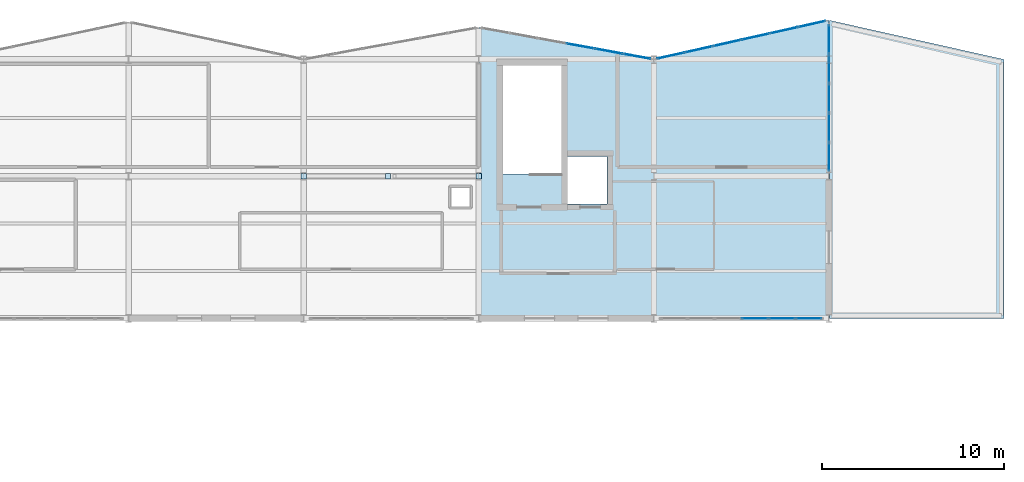
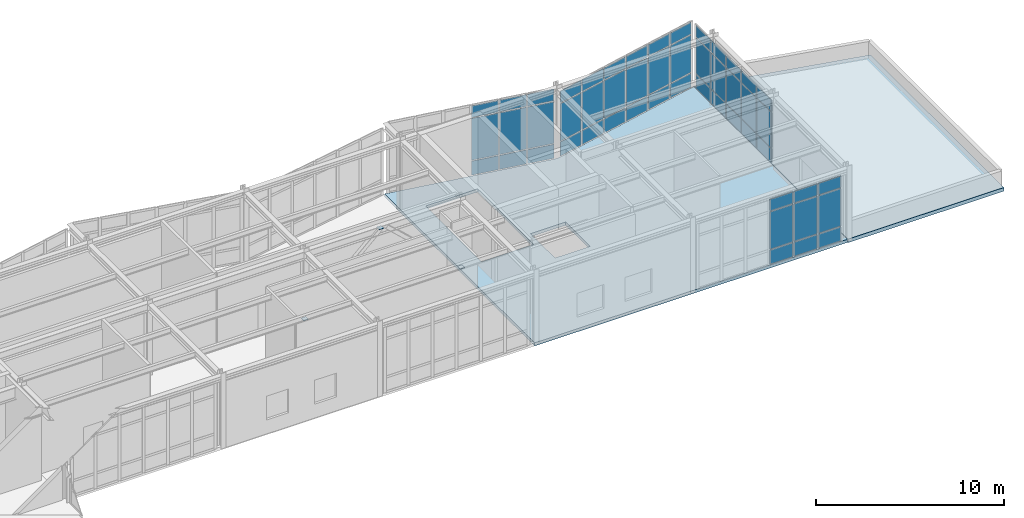
# One storey, part 21 of 28: 54 plates, 2 slabs, 4 elements without a shape of their own.
"""IFC4 building model written with IfcOpenShell, lengths in metres."""

from ifc_helpers import new_model, si_unit, direction, frame, origin, origin_2d, place, context, subcontext, project, spatial, polyline, rectangle, outline, extrude, material, layer, layer_set, type_object, element, aggregate, save


model = new_model("IFC4")

# Units and contexts
model_context = context("Model", 3, precision=1e-05, world=origin(), true_north=direction((0.0, 1.0)))
body_context = subcontext(model_context, "Body", "Model", "MODEL_VIEW")
ifc_project = project(units=[si_unit("LENGTHUNIT", "METRE"), si_unit("AREAUNIT", "SQUARE_METRE"), si_unit("VOLUMEUNIT", "CUBIC_METRE"), si_unit("PLANEANGLEUNIT", "RADIAN"), si_unit("MASSUNIT", "GRAM", prefix="KILO")], contexts=[model_context])

# Site, building, storey
site_placement = place(None, origin())
site = spatial("IfcSite", under=ifc_project, at=site_placement, CompositionType="ELEMENT")
building_placement = place(site_placement, origin())
building = spatial("IfcBuilding", under=site, at=building_placement, Name="Nordkorset Police Headquarters", CompositionType="ELEMENT")
storey_placement = place(building_placement, frame((0.0, 0.0, 26.25)))
storey = spatial("IfcBuildingStorey", under=building, at=storey_placement, Name="L06", CompositionType="ELEMENT", Elevation=26.25)

# Curtain wall, plates
ifc_material_1 = material(Name="Aluminium alloy AW-6060", Category="aluminium")
ifc_layer_1 = layer(ifc_material_1, 0.179931640625, Name="Aluminium alloy AW-6060")
ifc_layer_set_1 = layer_set([ifc_layer_1], Name="Aluminium alloy AW-6060")
curtain_wall_type_1 = type_object("IfcCurtainWallType", Name="CW_Unit_948x462", PredefinedType="USERDEFINED", material=ifc_layer_set_1)
curtain_wall_1_placement = place(storey_placement, origin())
curtain_wall_1 = element("IfcCurtainWall", 1, at=curtain_wall_1_placement, inside=storey, type_object=curtain_wall_type_1, Name="Unitised Curtain Wall L06 V2N-3", ObjectType="UNITISED CURTAIN WALL", PredefinedType="USERDEFINED")
ifc_material_2 = material(Name="Low-iron triple glazing", Category="glass")
ifc_layer_2 = layer(ifc_material_2, 0.035888671875, Name="Low-iron triple glazing")
ifc_layer_set_2 = layer_set([ifc_layer_2], Name="Low-iron triple glazing")
plate_type_1 = type_object("IfcPlateType", Name="CW_Panel_TripleGlazing_36", PredefinedType="CURTAIN_PANEL", material=ifc_layer_set_2)
plate_1_placement = place(storey_placement, frame((63.177001953125, 117.533447265625, 0.06494140625), z_axis=(0.0, 0.0, 1.0), x_axis=(0.983787934979, -0.179335715876, 0.0)))
plate_1 = element("IfcPlate", 2, at=plate_1_placement, type_object=plate_type_1, Name="CW-98 panel 4.1", PredefinedType="CURTAIN_PANEL", context=body_context, shape_type="SweptSolid", body=[
    extrude(rectangle(XDim=1.5146484375, YDim=0.035888671875, at=origin_2d()), origin(), (0.0, 0.0, 1.0), 0.902587890625),
])
plate_2_placement = place(storey_placement, frame((63.177001953125, 117.533447265625, 1.032470703125), z_axis=(0.0, 0.0, 1.0), x_axis=(0.983787934979, -0.179335715876, 0.0)))
plate_2 = element("IfcPlate", 3, at=plate_2_placement, type_object=plate_type_1, Name="CW-98 panel 4.2", PredefinedType="CURTAIN_PANEL", context=body_context, shape_type="SweptSolid", body=[
    extrude(rectangle(XDim=1.5146484375, YDim=0.035888671875, at=origin_2d()), origin(), (0.0, 0.0, 1.0), 2.705078125),
])
plate_3_placement = place(storey_placement, frame((63.177001953125, 117.533447265625, 3.802490234375), z_axis=(0.0, 0.0, 1.0), x_axis=(0.983787934979, -0.179335715876, 0.0)))
plate_3 = element("IfcPlate", 4, at=plate_3_placement, type_object=plate_type_1, Name="CW-98 panel 4.3", PredefinedType="CURTAIN_PANEL", context=body_context, shape_type="SweptSolid", body=[
    extrude(rectangle(XDim=1.5146484375, YDim=0.035888671875, at=origin_2d()), origin(), (0.0, 0.0, 1.0), 0.75244140625),
])
plate_4_placement = place(storey_placement, frame((64.731201171875, 117.25, 0.06494140625), z_axis=(0.0, 0.0, 1.0), x_axis=(0.983787934979, -0.179335715876, 0.0)))
plate_4 = element("IfcPlate", 5, at=plate_4_placement, type_object=plate_type_1, Name="CW-98 panel 5.1", PredefinedType="CURTAIN_PANEL", context=body_context, shape_type="SweptSolid", body=[
    extrude(rectangle(XDim=1.5146484375, YDim=0.035888671875, at=origin_2d()), origin(), (0.0, 0.0, 1.0), 0.902587890625),
])
plate_5_placement = place(storey_placement, frame((64.731201171875, 117.25, 1.032470703125), z_axis=(0.0, 0.0, 1.0), x_axis=(0.983787934979, -0.179335715876, 0.0)))
plate_5 = element("IfcPlate", 6, at=plate_5_placement, type_object=plate_type_1, Name="CW-98 panel 5.2", PredefinedType="CURTAIN_PANEL", context=body_context, shape_type="SweptSolid", body=[
    extrude(rectangle(XDim=1.5146484375, YDim=0.035888671875, at=origin_2d()), origin(), (0.0, 0.0, 1.0), 2.705078125),
])
plate_6_placement = place(storey_placement, frame((64.731201171875, 117.25, 3.802490234375), z_axis=(0.0, 0.0, 1.0), x_axis=(0.983787934979, -0.179335715876, 0.0)))
plate_6 = element("IfcPlate", 7, at=plate_6_placement, type_object=plate_type_1, Name="CW-98 panel 5.3", PredefinedType="CURTAIN_PANEL", context=body_context, shape_type="SweptSolid", body=[
    extrude(rectangle(XDim=1.5146484375, YDim=0.035888671875, at=origin_2d()), origin(), (0.0, 0.0, 1.0), 0.75244140625),
])
plate_7_placement = place(storey_placement, frame((66.269287109375, 116.9697265625, 0.06494140625), z_axis=(0.0, 0.0, 1.0), x_axis=(0.983787934979, -0.179335715876, 0.0)))
plate_7 = element("IfcPlate", 8, at=plate_7_placement, type_object=plate_type_1, Name="CW-98 panel 6.1", PredefinedType="CURTAIN_PANEL", context=body_context, shape_type="SweptSolid", body=[
    extrude(rectangle(XDim=1.482177734375, YDim=0.035888671875, at=origin_2d()), origin(), (0.0, 0.0, 1.0), 0.902587890625),
])
plate_8_placement = place(storey_placement, frame((66.269287109375, 116.9697265625, 1.032470703125), z_axis=(0.0, 0.0, 1.0), x_axis=(0.983787934979, -0.179335715876, 0.0)))
plate_8 = element("IfcPlate", 9, at=plate_8_placement, type_object=plate_type_1, Name="CW-98 panel 6.2", PredefinedType="CURTAIN_PANEL", context=body_context, shape_type="SweptSolid", body=[
    extrude(rectangle(XDim=1.482177734375, YDim=0.035888671875, at=origin_2d()), origin(), (0.0, 0.0, 1.0), 2.705078125),
])
plate_9_placement = place(storey_placement, frame((66.269287109375, 116.9697265625, 3.802490234375), z_axis=(0.0, 0.0, 1.0), x_axis=(0.983787934979, -0.179335715876, 0.0)))
plate_9 = element("IfcPlate", 10, at=plate_9_placement, type_object=plate_type_1, Name="CW-98 panel 6.3", PredefinedType="CURTAIN_PANEL", context=body_context, shape_type="SweptSolid", body=[
    extrude(rectangle(XDim=1.482177734375, YDim=0.035888671875, at=origin_2d()), origin(), (0.0, 0.0, 1.0), 0.75244140625),
])
aggregate(curtain_wall_1, [plate_1, plate_2, plate_3, plate_4, plate_5, plate_6, plate_7, plate_8, plate_9])

ifc_material_3 = material(Name="Aluminium alloy AW-6060", Category="aluminium")
ifc_layer_3 = layer(ifc_material_3, 0.179931640625, Name="Aluminium alloy AW-6060")
ifc_layer_set_3 = layer_set([ifc_layer_3], Name="Aluminium alloy AW-6060")
curtain_wall_type_2 = type_object("IfcCurtainWallType", Name="CW_Unit_956x434", PredefinedType="USERDEFINED", material=ifc_layer_set_3)
curtain_wall_2_placement = place(storey_placement, origin())
curtain_wall_2 = element("IfcCurtainWall", 11, at=curtain_wall_2_placement, inside=storey, type_object=curtain_wall_type_2, Name="Unitised Curtain Wall L06 V2N-4", ObjectType="UNITISED CURTAIN WALL", PredefinedType="USERDEFINED")
plate_10_placement = place(storey_placement, frame((68.129638671875, 117.00830078125, 0.06494140625), z_axis=(0.0, 0.0, 1.0), x_axis=(0.975827090814, 0.218544020358, 0.0)))
plate_10 = element("IfcPlate", 12, at=plate_10_placement, type_object=plate_type_1, Name="CW-04 panel 1.1", PredefinedType="CURTAIN_PANEL", context=body_context, shape_type="SweptSolid", body=[
    extrude(rectangle(XDim=1.495361328125, YDim=0.035888671875, at=origin_2d()), origin(), (0.0, 0.0, 1.0), 0.902587890625),
])
plate_11_placement = place(storey_placement, frame((68.129638671875, 117.00830078125, 1.032470703125), z_axis=(0.0, 0.0, 1.0), x_axis=(0.975827090814, 0.218544020358, 0.0)))
plate_11 = element("IfcPlate", 13, at=plate_11_placement, type_object=plate_type_1, Name="CW-04 panel 1.2", PredefinedType="CURTAIN_PANEL", context=body_context, shape_type="SweptSolid", body=[
    extrude(rectangle(XDim=1.495361328125, YDim=0.035888671875, at=origin_2d()), origin(), (0.0, 0.0, 1.0), 2.419921875),
])
plate_12_placement = place(storey_placement, frame((68.129638671875, 117.00830078125, 3.517578125), z_axis=(0.0, 0.0, 1.0), x_axis=(0.975827090814, 0.218544020358, 0.0)))
plate_12 = element("IfcPlate", 14, at=plate_12_placement, type_object=plate_type_1, Name="CW-04 panel 1.3", PredefinedType="CURTAIN_PANEL", context=body_context, shape_type="SweptSolid", body=[
    extrude(rectangle(XDim=1.495361328125, YDim=0.035888671875, at=origin_2d()), origin(), (0.0, 0.0, 1.0), 0.75244140625),
])
plate_13_placement = place(storey_placement, frame((69.668212890625, 117.352783203125, 0.06494140625), z_axis=(0.0, 0.0, 1.0), x_axis=(0.975827090814, 0.218544020358, 0.0)))
plate_13 = element("IfcPlate", 15, at=plate_13_placement, type_object=plate_type_1, Name="CW-04 panel 2.1", PredefinedType="CURTAIN_PANEL", context=body_context, shape_type="SweptSolid", body=[
    extrude(rectangle(XDim=1.528076171875, YDim=0.035888671875, at=origin_2d()), origin(), (0.0, 0.0, 1.0), 0.902587890625),
])
plate_14_placement = place(storey_placement, frame((69.668212890625, 117.352783203125, 1.032470703125), z_axis=(0.0, 0.0, 1.0), x_axis=(0.975827090814, 0.218544020358, 0.0)))
plate_14 = element("IfcPlate", 16, at=plate_14_placement, type_object=plate_type_1, Name="CW-04 panel 2.2", PredefinedType="CURTAIN_PANEL", context=body_context, shape_type="SweptSolid", body=[
    extrude(rectangle(XDim=1.528076171875, YDim=0.035888671875, at=origin_2d()), origin(), (0.0, 0.0, 1.0), 2.419921875),
])
plate_15_placement = place(storey_placement, frame((69.668212890625, 117.352783203125, 3.517578125), z_axis=(0.0, 0.0, 1.0), x_axis=(0.975827090814, 0.218544020358, 0.0)))
plate_15 = element("IfcPlate", 17, at=plate_15_placement, type_object=plate_type_1, Name="CW-04 panel 2.3", PredefinedType="CURTAIN_PANEL", context=body_context, shape_type="SweptSolid", body=[
    extrude(rectangle(XDim=1.528076171875, YDim=0.035888671875, at=origin_2d()), origin(), (0.0, 0.0, 1.0), 0.75244140625),
])
plate_16_placement = place(storey_placement, frame((71.22265625, 117.700927734375, 0.06494140625), z_axis=(0.0, 0.0, 1.0), x_axis=(0.975827090814, 0.218544020358, 0.0)))
plate_16 = element("IfcPlate", 18, at=plate_16_placement, type_object=plate_type_1, Name="CW-04 panel 3.1", PredefinedType="CURTAIN_PANEL", context=body_context, shape_type="SweptSolid", body=[
    extrude(rectangle(XDim=1.528076171875, YDim=0.035888671875, at=origin_2d()), origin(), (0.0, 0.0, 1.0), 0.902587890625),
])
plate_17_placement = place(storey_placement, frame((71.22265625, 117.700927734375, 1.032470703125), z_axis=(0.0, 0.0, 1.0), x_axis=(0.975827090814, 0.218544020358, 0.0)))
plate_17 = element("IfcPlate", 19, at=plate_17_placement, type_object=plate_type_1, Name="CW-04 panel 3.2", PredefinedType="CURTAIN_PANEL", context=body_context, shape_type="SweptSolid", body=[
    extrude(rectangle(XDim=1.528076171875, YDim=0.035888671875, at=origin_2d()), origin(), (0.0, 0.0, 1.0), 2.419921875),
])
plate_18_placement = place(storey_placement, frame((71.22265625, 117.700927734375, 3.517578125), z_axis=(0.0, 0.0, 1.0), x_axis=(0.975827090814, 0.218544020358, 0.0)))
plate_18 = element("IfcPlate", 20, at=plate_18_placement, type_object=plate_type_1, Name="CW-04 panel 3.3", PredefinedType="CURTAIN_PANEL", context=body_context, shape_type="SweptSolid", body=[
    extrude(rectangle(XDim=1.528076171875, YDim=0.035888671875, at=origin_2d()), origin(), (0.0, 0.0, 1.0), 0.75244140625),
])
plate_19_placement = place(storey_placement, frame((72.77734375, 118.049072265625, 0.06494140625), z_axis=(0.0, 0.0, 1.0), x_axis=(0.975827090814, 0.218544020358, 0.0)))
plate_19 = element("IfcPlate", 21, at=plate_19_placement, type_object=plate_type_1, Name="CW-04 panel 4.1", PredefinedType="CURTAIN_PANEL", context=body_context, shape_type="SweptSolid", body=[
    extrude(rectangle(XDim=1.528076171875, YDim=0.035888671875, at=origin_2d()), origin(), (0.0, 0.0, 1.0), 0.902587890625),
])
plate_20_placement = place(storey_placement, frame((72.77734375, 118.049072265625, 1.032470703125), z_axis=(0.0, 0.0, 1.0), x_axis=(0.975827090814, 0.218544020358, 0.0)))
plate_20 = element("IfcPlate", 22, at=plate_20_placement, type_object=plate_type_1, Name="CW-04 panel 4.2", PredefinedType="CURTAIN_PANEL", context=body_context, shape_type="SweptSolid", body=[
    extrude(rectangle(XDim=1.528076171875, YDim=0.035888671875, at=origin_2d()), origin(), (0.0, 0.0, 1.0), 2.419921875),
])
plate_21_placement = place(storey_placement, frame((72.77734375, 118.049072265625, 3.517578125), z_axis=(0.0, 0.0, 1.0), x_axis=(0.975827090814, 0.218544020358, 0.0)))
plate_21 = element("IfcPlate", 23, at=plate_21_placement, type_object=plate_type_1, Name="CW-04 panel 4.3", PredefinedType="CURTAIN_PANEL", context=body_context, shape_type="SweptSolid", body=[
    extrude(rectangle(XDim=1.528076171875, YDim=0.035888671875, at=origin_2d()), origin(), (0.0, 0.0, 1.0), 0.75244140625),
])
plate_22_placement = place(storey_placement, frame((74.331787109375, 118.397216796875, 0.06494140625), z_axis=(0.0, 0.0, 1.0), x_axis=(0.975827090814, 0.218544020358, 0.0)))
plate_22 = element("IfcPlate", 24, at=plate_22_placement, type_object=plate_type_1, Name="CW-04 panel 5.1", PredefinedType="CURTAIN_PANEL", context=body_context, shape_type="SweptSolid", body=[
    extrude(rectangle(XDim=1.528076171875, YDim=0.035888671875, at=origin_2d()), origin(), (0.0, 0.0, 1.0), 0.902587890625),
])
plate_23_placement = place(storey_placement, frame((74.331787109375, 118.397216796875, 1.032470703125), z_axis=(0.0, 0.0, 1.0), x_axis=(0.975827090814, 0.218544020358, 0.0)))
plate_23 = element("IfcPlate", 25, at=plate_23_placement, type_object=plate_type_1, Name="CW-04 panel 5.2", PredefinedType="CURTAIN_PANEL", context=body_context, shape_type="SweptSolid", body=[
    extrude(rectangle(XDim=1.528076171875, YDim=0.035888671875, at=origin_2d()), origin(), (0.0, 0.0, 1.0), 2.419921875),
])
plate_24_placement = place(storey_placement, frame((74.331787109375, 118.397216796875, 3.517578125), z_axis=(0.0, 0.0, 1.0), x_axis=(0.975827090814, 0.218544020358, 0.0)))
plate_24 = element("IfcPlate", 26, at=plate_24_placement, type_object=plate_type_1, Name="CW-04 panel 5.3", PredefinedType="CURTAIN_PANEL", context=body_context, shape_type="SweptSolid", body=[
    extrude(rectangle(XDim=1.528076171875, YDim=0.035888671875, at=origin_2d()), origin(), (0.0, 0.0, 1.0), 0.75244140625),
])
plate_25_placement = place(storey_placement, frame((75.870361328125, 118.74169921875, 0.06494140625), z_axis=(0.0, 0.0, 1.0), x_axis=(0.975827090814, 0.218544020358, 0.0)))
plate_25 = element("IfcPlate", 27, at=plate_25_placement, type_object=plate_type_1, Name="CW-04 panel 6.1", PredefinedType="CURTAIN_PANEL", context=body_context, shape_type="SweptSolid", body=[
    extrude(rectangle(XDim=1.495361328125, YDim=0.035888671875, at=origin_2d()), origin(), (0.0, 0.0, 1.0), 0.902587890625),
])
plate_26_placement = place(storey_placement, frame((75.870361328125, 118.74169921875, 1.032470703125), z_axis=(0.0, 0.0, 1.0), x_axis=(0.975827090814, 0.218544020358, 0.0)))
plate_26 = element("IfcPlate", 28, at=plate_26_placement, type_object=plate_type_1, Name="CW-04 panel 6.2", PredefinedType="CURTAIN_PANEL", context=body_context, shape_type="SweptSolid", body=[
    extrude(rectangle(XDim=1.495361328125, YDim=0.035888671875, at=origin_2d()), origin(), (0.0, 0.0, 1.0), 2.419921875),
])
plate_27_placement = place(storey_placement, frame((75.870361328125, 118.74169921875, 3.517578125), z_axis=(0.0, 0.0, 1.0), x_axis=(0.975827090814, 0.218544020358, 0.0)))
plate_27 = element("IfcPlate", 29, at=plate_27_placement, type_object=plate_type_1, Name="CW-04 panel 6.3", PredefinedType="CURTAIN_PANEL", context=body_context, shape_type="SweptSolid", body=[
    extrude(rectangle(XDim=1.495361328125, YDim=0.035888671875, at=origin_2d()), origin(), (0.0, 0.0, 1.0), 0.75244140625),
])
aggregate(curtain_wall_2, [plate_10, plate_11, plate_12, plate_13, plate_14, plate_15, plate_16, plate_17, plate_18, plate_19, plate_20, plate_21, plate_22, plate_23, plate_24, plate_25, plate_26, plate_27])

ifc_material_4 = material(Name="Aluminium alloy AW-6060", Category="aluminium")
ifc_layer_4 = layer(ifc_material_4, 0.179931640625, Name="Aluminium alloy AW-6060")
ifc_layer_set_4 = layer_set([ifc_layer_4], Name="Aluminium alloy AW-6060")
curtain_wall_type_3 = type_object("IfcCurtainWallType", Name="CW_Unit_888x434", PredefinedType="USERDEFINED", material=ifc_layer_set_4)
curtain_wall_3_placement = place(storey_placement, origin())
curtain_wall_3 = element("IfcCurtainWall", 30, at=curtain_wall_3_placement, inside=storey, type_object=curtain_wall_type_3, Name="Unitised Curtain Wall L06 V2S-4", ObjectType="UNITISED CURTAIN WALL", PredefinedType="USERDEFINED")
plate_28_placement = place(storey_placement, frame((72.739990234375, 102.60009765625, 0.06494140625), z_axis=(0.0, 0.0, 1.0), x_axis=(1.0, 0.0, 0.0)))
plate_28 = element("IfcPlate", 31, at=plate_28_placement, type_object=plate_type_1, Name="CW-74 panel 4.1", PredefinedType="CURTAIN_PANEL", context=body_context, shape_type="SweptSolid", body=[
    extrude(rectangle(XDim=1.4150390625, YDim=0.035888671875, at=origin_2d()), origin(), (0.0, 0.0, 1.0), 0.902587890625),
])
plate_29_placement = place(storey_placement, frame((72.739990234375, 102.60009765625, 1.032470703125), z_axis=(0.0, 0.0, 1.0), x_axis=(1.0, 0.0, 0.0)))
plate_29 = element("IfcPlate", 32, at=plate_29_placement, type_object=plate_type_1, Name="CW-74 panel 4.2", PredefinedType="CURTAIN_PANEL", context=body_context, shape_type="SweptSolid", body=[
    extrude(rectangle(XDim=1.4150390625, YDim=0.035888671875, at=origin_2d()), origin(), (0.0, 0.0, 1.0), 2.419921875),
])
plate_30_placement = place(storey_placement, frame((72.739990234375, 102.60009765625, 3.517578125), z_axis=(0.0, 0.0, 1.0), x_axis=(1.0, 0.0, 0.0)))
plate_30 = element("IfcPlate", 33, at=plate_30_placement, type_object=plate_type_1, Name="CW-74 panel 4.3", PredefinedType="CURTAIN_PANEL", context=body_context, shape_type="SweptSolid", body=[
    extrude(rectangle(XDim=1.4150390625, YDim=0.035888671875, at=origin_2d()), origin(), (0.0, 0.0, 1.0), 0.75244140625),
])
plate_31_placement = place(storey_placement, frame((74.219970703125, 102.60009765625, 0.06494140625), z_axis=(0.0, 0.0, 1.0), x_axis=(1.0, 0.0, 0.0)))
plate_31 = element("IfcPlate", 34, at=plate_31_placement, type_object=plate_type_1, Name="CW-74 panel 5.1", PredefinedType="CURTAIN_PANEL", context=body_context, shape_type="SweptSolid", body=[
    extrude(rectangle(XDim=1.4150390625, YDim=0.035888671875, at=origin_2d()), origin(), (0.0, 0.0, 1.0), 0.902587890625),
])
plate_32_placement = place(storey_placement, frame((74.219970703125, 102.60009765625, 1.032470703125), z_axis=(0.0, 0.0, 1.0), x_axis=(1.0, 0.0, 0.0)))
plate_32 = element("IfcPlate", 35, at=plate_32_placement, type_object=plate_type_1, Name="CW-74 panel 5.2", PredefinedType="CURTAIN_PANEL", context=body_context, shape_type="SweptSolid", body=[
    extrude(rectangle(XDim=1.4150390625, YDim=0.035888671875, at=origin_2d()), origin(), (0.0, 0.0, 1.0), 2.419921875),
])
plate_33_placement = place(storey_placement, frame((74.219970703125, 102.60009765625, 3.517578125), z_axis=(0.0, 0.0, 1.0), x_axis=(1.0, 0.0, 0.0)))
plate_33 = element("IfcPlate", 36, at=plate_33_placement, type_object=plate_type_1, Name="CW-74 panel 5.3", PredefinedType="CURTAIN_PANEL", context=body_context, shape_type="SweptSolid", body=[
    extrude(rectangle(XDim=1.4150390625, YDim=0.035888671875, at=origin_2d()), origin(), (0.0, 0.0, 1.0), 0.75244140625),
])
plate_34_placement = place(storey_placement, frame((75.683837890625, 102.60009765625, 0.06494140625), z_axis=(0.0, 0.0, 1.0), x_axis=(1.0, 0.0, 0.0)))
plate_34 = element("IfcPlate", 37, at=plate_34_placement, type_object=plate_type_1, Name="CW-74 panel 6.1", PredefinedType="CURTAIN_PANEL", context=body_context, shape_type="SweptSolid", body=[
    extrude(rectangle(XDim=1.382568359375, YDim=0.035888671875, at=origin_2d()), origin(), (0.0, 0.0, 1.0), 0.902587890625),
])
plate_35_placement = place(storey_placement, frame((75.683837890625, 102.60009765625, 1.032470703125), z_axis=(0.0, 0.0, 1.0), x_axis=(1.0, 0.0, 0.0)))
plate_35 = element("IfcPlate", 38, at=plate_35_placement, type_object=plate_type_1, Name="CW-74 panel 6.2", PredefinedType="CURTAIN_PANEL", context=body_context, shape_type="SweptSolid", body=[
    extrude(rectangle(XDim=1.382568359375, YDim=0.035888671875, at=origin_2d()), origin(), (0.0, 0.0, 1.0), 2.419921875),
])
plate_36_placement = place(storey_placement, frame((75.683837890625, 102.60009765625, 3.517578125), z_axis=(0.0, 0.0, 1.0), x_axis=(1.0, 0.0, 0.0)))
plate_36 = element("IfcPlate", 39, at=plate_36_placement, type_object=plate_type_1, Name="CW-74 panel 6.3", PredefinedType="CURTAIN_PANEL", context=body_context, shape_type="SweptSolid", body=[
    extrude(rectangle(XDim=1.382568359375, YDim=0.035888671875, at=origin_2d()), origin(), (0.0, 0.0, 1.0), 0.75244140625),
])
aggregate(curtain_wall_3, [plate_28, plate_29, plate_30, plate_31, plate_32, plate_33, plate_34, plate_35, plate_36])

ifc_material_5 = material(Name="Aluminium alloy AW-6060", Category="aluminium")
ifc_layer_5 = layer(ifc_material_5, 0.179931640625, Name="Aluminium alloy AW-6060")
ifc_layer_set_5 = layer_set([ifc_layer_5], Name="Aluminium alloy AW-6060")
curtain_wall_type_4 = type_object("IfcCurtainWallType", Name="CW_Unit_811x420", PredefinedType="USERDEFINED", material=ifc_layer_set_5)
curtain_wall_4_placement = place(storey_placement, origin())
curtain_wall_4 = element("IfcCurtainWall", 40, at=curtain_wall_4_placement, inside=storey, type_object=curtain_wall_type_4, Name="Unitised Curtain Wall L06 V2E-L06B", ObjectType="UNITISED CURTAIN WALL", PredefinedType="USERDEFINED")
plate_37_placement = place(storey_placement, frame((76.800048828125, 111.447265625, 0.06494140625), z_axis=(0.0, 0.0, 1.0), x_axis=(0.0, 1.0, 0.0)))
plate_37 = element("IfcPlate", 41, at=plate_37_placement, type_object=plate_type_1, Name="CW-12 panel 1.1", PredefinedType="CURTAIN_PANEL", context=body_context, shape_type="SweptSolid", body=[
    extrude(rectangle(XDim=1.5244140625, YDim=0.035888671875, at=origin_2d()), origin(), (0.0, 0.0, 1.0), 0.902587890625),
])
plate_38_placement = place(storey_placement, frame((76.800048828125, 111.447265625, 1.032470703125), z_axis=(0.0, 0.0, 1.0), x_axis=(0.0, 1.0, 0.0)))
plate_38 = element("IfcPlate", 42, at=plate_38_placement, type_object=plate_type_1, Name="CW-12 panel 1.2", PredefinedType="CURTAIN_PANEL", context=body_context, shape_type="SweptSolid", body=[
    extrude(rectangle(XDim=1.5244140625, YDim=0.035888671875, at=origin_2d()), origin(), (0.0, 0.0, 1.0), 2.2900390625),
])
plate_39_placement = place(storey_placement, frame((76.800048828125, 111.447265625, 3.387451171875), z_axis=(0.0, 0.0, 1.0), x_axis=(0.0, 1.0, 0.0)))
plate_39 = element("IfcPlate", 43, at=plate_39_placement, type_object=plate_type_1, Name="CW-12 panel 1.3", PredefinedType="CURTAIN_PANEL", context=body_context, shape_type="SweptSolid", body=[
    extrude(rectangle(XDim=1.5244140625, YDim=0.035888671875, at=origin_2d()), origin(), (0.0, 0.0, 1.0), 0.75244140625),
])
plate_40_placement = place(storey_placement, frame((76.800048828125, 113.052978515625, 0.06494140625), z_axis=(0.0, 0.0, 1.0), x_axis=(0.0, 1.0, 0.0)))
plate_40 = element("IfcPlate", 44, at=plate_40_placement, type_object=plate_type_1, Name="CW-12 panel 2.1", PredefinedType="CURTAIN_PANEL", context=body_context, shape_type="SweptSolid", body=[
    extrude(rectangle(XDim=1.556884765625, YDim=0.035888671875, at=origin_2d()), origin(), (0.0, 0.0, 1.0), 0.902587890625),
])
plate_41_placement = place(storey_placement, frame((76.800048828125, 113.052978515625, 1.032470703125), z_axis=(0.0, 0.0, 1.0), x_axis=(0.0, 1.0, 0.0)))
plate_41 = element("IfcPlate", 45, at=plate_41_placement, type_object=plate_type_1, Name="CW-12 panel 2.2", PredefinedType="CURTAIN_PANEL", context=body_context, shape_type="SweptSolid", body=[
    extrude(rectangle(XDim=1.556884765625, YDim=0.035888671875, at=origin_2d()), origin(), (0.0, 0.0, 1.0), 2.2900390625),
])
plate_42_placement = place(storey_placement, frame((76.800048828125, 113.052978515625, 3.387451171875), z_axis=(0.0, 0.0, 1.0), x_axis=(0.0, 1.0, 0.0)))
plate_42 = element("IfcPlate", 46, at=plate_42_placement, type_object=plate_type_1, Name="CW-12 panel 2.3", PredefinedType="CURTAIN_PANEL", context=body_context, shape_type="SweptSolid", body=[
    extrude(rectangle(XDim=1.556884765625, YDim=0.035888671875, at=origin_2d()), origin(), (0.0, 0.0, 1.0), 0.75244140625),
])
plate_43_placement = place(storey_placement, frame((76.800048828125, 114.675048828125, 0.06494140625), z_axis=(0.0, 0.0, 1.0), x_axis=(0.0, 1.0, 0.0)))
plate_43 = element("IfcPlate", 47, at=plate_43_placement, type_object=plate_type_1, Name="CW-12 panel 3.1", PredefinedType="CURTAIN_PANEL", context=body_context, shape_type="SweptSolid", body=[
    extrude(rectangle(XDim=1.556884765625, YDim=0.035888671875, at=origin_2d()), origin(), (0.0, 0.0, 1.0), 0.902587890625),
])
plate_44_placement = place(storey_placement, frame((76.800048828125, 114.675048828125, 1.032470703125), z_axis=(0.0, 0.0, 1.0), x_axis=(0.0, 1.0, 0.0)))
plate_44 = element("IfcPlate", 48, at=plate_44_placement, type_object=plate_type_1, Name="CW-12 panel 3.2", PredefinedType="CURTAIN_PANEL", context=body_context, shape_type="SweptSolid", body=[
    extrude(rectangle(XDim=1.556884765625, YDim=0.035888671875, at=origin_2d()), origin(), (0.0, 0.0, 1.0), 2.2900390625),
])
plate_45_placement = place(storey_placement, frame((76.800048828125, 114.675048828125, 3.387451171875), z_axis=(0.0, 0.0, 1.0), x_axis=(0.0, 1.0, 0.0)))
plate_45 = element("IfcPlate", 49, at=plate_45_placement, type_object=plate_type_1, Name="CW-12 panel 3.3", PredefinedType="CURTAIN_PANEL", context=body_context, shape_type="SweptSolid", body=[
    extrude(rectangle(XDim=1.556884765625, YDim=0.035888671875, at=origin_2d()), origin(), (0.0, 0.0, 1.0), 0.75244140625),
])
plate_46_placement = place(storey_placement, frame((76.800048828125, 116.297119140625, 0.06494140625), z_axis=(0.0, 0.0, 1.0), x_axis=(0.0, 1.0, 0.0)))
plate_46 = element("IfcPlate", 50, at=plate_46_placement, type_object=plate_type_1, Name="CW-12 panel 4.1", PredefinedType="CURTAIN_PANEL", context=body_context, shape_type="SweptSolid", body=[
    extrude(rectangle(XDim=1.556884765625, YDim=0.035888671875, at=origin_2d()), origin(), (0.0, 0.0, 1.0), 0.902587890625),
])
plate_47_placement = place(storey_placement, frame((76.800048828125, 116.297119140625, 1.032470703125), z_axis=(0.0, 0.0, 1.0), x_axis=(0.0, 1.0, 0.0)))
plate_47 = element("IfcPlate", 51, at=plate_47_placement, type_object=plate_type_1, Name="CW-12 panel 4.2", PredefinedType="CURTAIN_PANEL", context=body_context, shape_type="SweptSolid", body=[
    extrude(rectangle(XDim=1.556884765625, YDim=0.035888671875, at=origin_2d()), origin(), (0.0, 0.0, 1.0), 2.2900390625),
])
plate_48_placement = place(storey_placement, frame((76.800048828125, 116.297119140625, 3.387451171875), z_axis=(0.0, 0.0, 1.0), x_axis=(0.0, 1.0, 0.0)))
plate_48 = element("IfcPlate", 52, at=plate_48_placement, type_object=plate_type_1, Name="CW-12 panel 4.3", PredefinedType="CURTAIN_PANEL", context=body_context, shape_type="SweptSolid", body=[
    extrude(rectangle(XDim=1.556884765625, YDim=0.035888671875, at=origin_2d()), origin(), (0.0, 0.0, 1.0), 0.75244140625),
])
plate_49_placement = place(storey_placement, frame((76.800048828125, 117.90283203125, 0.06494140625), z_axis=(0.0, 0.0, 1.0), x_axis=(0.0, 1.0, 0.0)))
plate_49 = element("IfcPlate", 53, at=plate_49_placement, type_object=plate_type_1, Name="CW-12 panel 5.1", PredefinedType="CURTAIN_PANEL", context=body_context, shape_type="SweptSolid", body=[
    extrude(rectangle(XDim=1.5244140625, YDim=0.035888671875, at=origin_2d()), origin(), (0.0, 0.0, 1.0), 0.902587890625),
])
plate_50_placement = place(storey_placement, frame((76.800048828125, 117.90283203125, 1.032470703125), z_axis=(0.0, 0.0, 1.0), x_axis=(0.0, 1.0, 0.0)))
plate_50 = element("IfcPlate", 54, at=plate_50_placement, type_object=plate_type_1, Name="CW-12 panel 5.2", PredefinedType="CURTAIN_PANEL", context=body_context, shape_type="SweptSolid", body=[
    extrude(rectangle(XDim=1.5244140625, YDim=0.035888671875, at=origin_2d()), origin(), (0.0, 0.0, 1.0), 2.2900390625),
])
plate_51_placement = place(storey_placement, frame((76.800048828125, 117.90283203125, 3.387451171875), z_axis=(0.0, 0.0, 1.0), x_axis=(0.0, 1.0, 0.0)))
plate_51 = element("IfcPlate", 55, at=plate_51_placement, type_object=plate_type_1, Name="CW-12 panel 5.3", PredefinedType="CURTAIN_PANEL", context=body_context, shape_type="SweptSolid", body=[
    extrude(rectangle(XDim=1.5244140625, YDim=0.035888671875, at=origin_2d()), origin(), (0.0, 0.0, 1.0), 0.75244140625),
])
aggregate(curtain_wall_4, [plate_37, plate_38, plate_39, plate_40, plate_41, plate_42, plate_43, plate_44, plate_45, plate_46, plate_47, plate_48, plate_49, plate_50, plate_51])

# Slabs
ifc_material_6 = material(Name="Concrete C35/45", Category="concrete")
ifc_layer_6 = layer(ifc_material_6, 0.235107421875, Name="Concrete C35/45")
ifc_layer_set_6 = layer_set([ifc_layer_6], Name="Concrete C35/45")
slab_type_1 = type_object("IfcSlabType", Name="Slab_RoofFlat_235", PredefinedType="ROOF", material=ifc_layer_set_6)
slab_1_placement = place(storey_placement, frame((0.0, 0.0, -0.235107421875)))
element("IfcSlab", 56, at=slab_1_placement, inside=storey, type_object=slab_type_1, Name="Investigation Wing East Setback Roof Deck", PredefinedType="ROOF", context=body_context, shape_type="SweptSolid", body=[
    extrude(outline(polyline([(76.820068359375, 102.60009765625), (86.39990234375, 102.60009765625), (86.39990234375, 116.800048828125), (76.820068359375, 118.949951171875), (76.820068359375, 102.60009765625)])), origin(), (0.0, 0.0, 1.0), 0.235107421875),
])
ifc_material_7 = material(Name="Concrete C35/45", Category="concrete")
ifc_layer_7 = layer(ifc_material_7, 0.199951171875, Name="Concrete C35/45")
ifc_layer_set_7 = layer_set([ifc_layer_7], Name="Concrete C35/45")
slab_type_2 = type_object("IfcSlabType", Name="Slab_Upper_200", PredefinedType="FLOOR", material=ifc_layer_set_7)
slab_2_placement = place(storey_placement, frame((0.0, 0.0, -0.199951171875)))
element("IfcSlab", 57, at=slab_2_placement, inside=storey, type_object=slab_type_2, Name="Composite Floor Slab V2 East L06", PredefinedType="FLOOR", context=body_context, shape_type="SweptSolid", body=[
    extrude(outline(polyline([(67.199951171875, 116.800048828125), (76.800048828125, 118.949951171875), (76.800048828125, 102.60009765625), (57.60205078125, 102.60009765625), (57.60205078125, 118.550048828125), (67.199951171875, 116.800048828125)]), holes=[polyline([(58.925048828125, 116.47509765625), (58.925048828125, 110.528076171875), (62.125, 110.528076171875), (62.125, 116.47509765625), (58.925048828125, 116.47509765625)]), polyline([(64.625, 111.47509765625), (62.47509765625, 111.47509765625), (62.47509765625, 108.875), (64.625, 108.875), (64.625, 111.47509765625)])]), origin(), (0.0, 0.0, 1.0), 0.199951171875),
])

# Plates
ifc_material_8 = material(Name="Steel S355J2", Category="steel")
ifc_layer_8 = layer(ifc_material_8, 0.02001953125, Name="Steel S355J2")
ifc_layer_set_8 = layer_set([ifc_layer_8], Name="Steel S355J2")
plate_type_2 = type_object("IfcPlateType", Name="SteelPlate_20mm", PredefinedType="SHEET", material=ifc_layer_set_8)
for number, where, z_axis, x_axis, name in (
    (58, (48.006591796875, 110.39990234375, 0.18994140625), (0.0, 0.0, 1.0), (1.0, 0.0, 0.0), "Hollow Section End Cap Plate BF-V2-A-L06-D1-0"),
    (59, (52.6201171875, 110.39990234375, 4.47998046875), (0.0, 0.0, 1.0), (1.0, 0.0, 0.0), "Hollow Section End Cap Plate BF-V2-A-L06-D1-1"),
    (60, (57.59326171875, 110.39990234375, 0.18994140625), (0.0, 0.0, 1.0), (1.0, 0.0, 0.0), "Hollow Section End Cap Plate BF-V2-A-L06-D2-0"),
):
    element("IfcPlate", number, at=place(storey_placement, frame(where, z_axis=z_axis, x_axis=x_axis)), inside=storey, type_object=plate_type_2, Name=name, PredefinedType="SHEET", context=body_context, shape_type="SweptSolid", body=[
        extrude(rectangle(XDim=0.2900390625, YDim=0.2900390625, at=origin_2d()), origin(), (0.0, 0.0, 1.0), 0.02001953125),
    ])

save(model, "model.ifc")
